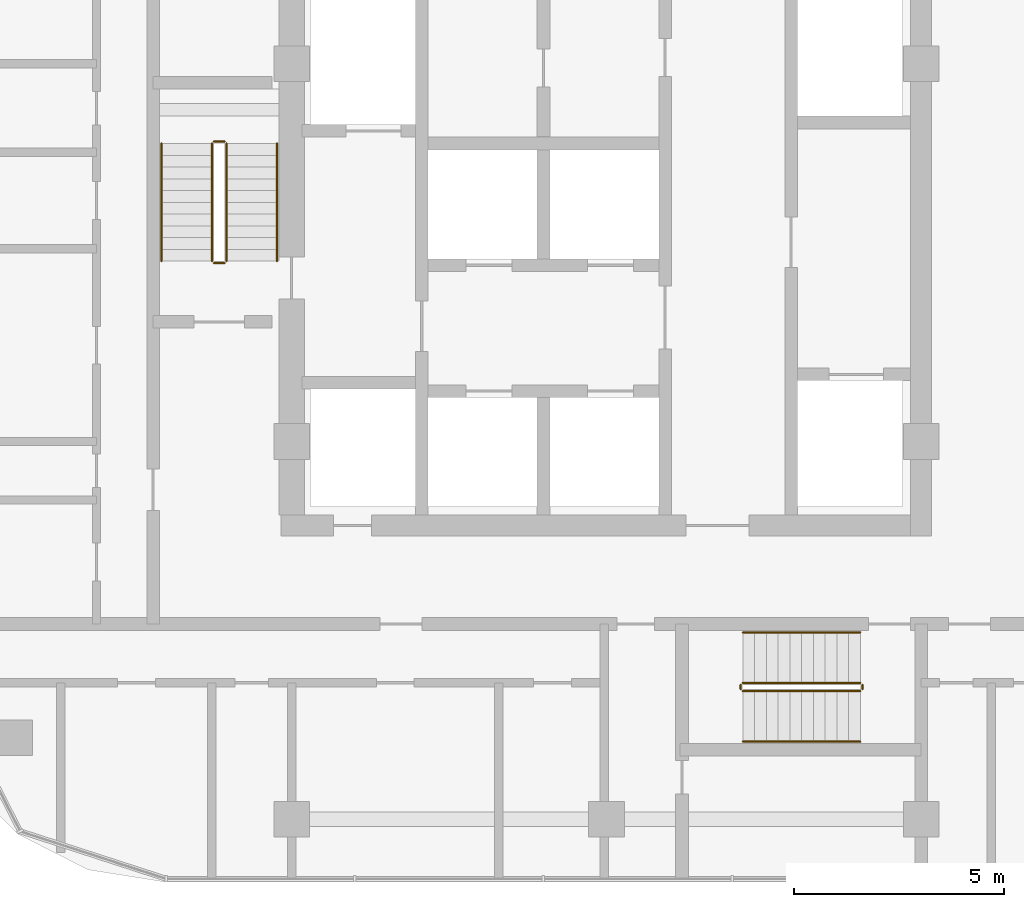
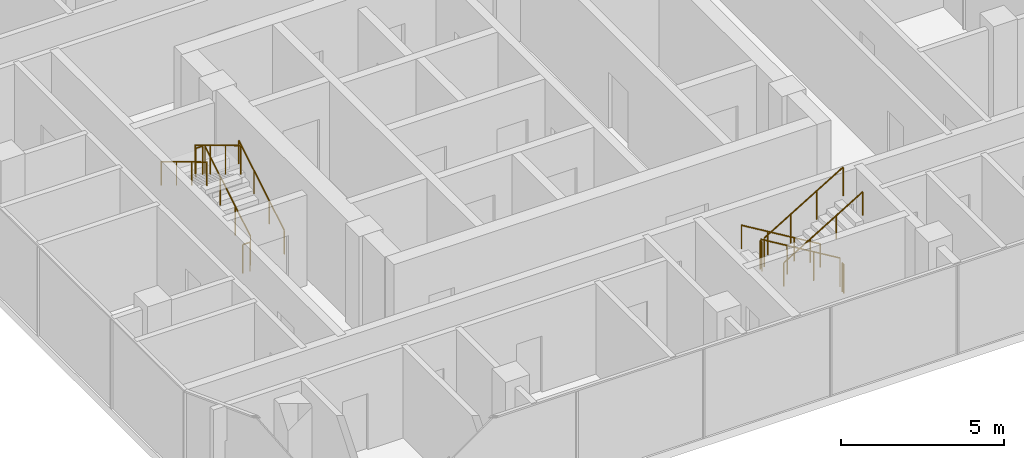
# One storey, part 33 of 33: 12 railings.
"""IFC4 building model written with IfcOpenShell, lengths in metres."""

from ifc_helpers import new_model, si_unit, direction, frame, origin, origin_2d, place, context, subcontext, project, spatial, circle, extrude, material, type_object, element, save


model = new_model("IFC4")

# Units and contexts
model_context = context("Model", 3, precision=1e-05, world=origin(), true_north=direction((0.0, 1.0)))
body_context = subcontext(model_context, "Body", "Model", "MODEL_VIEW")
ifc_project = project(units=[si_unit("LENGTHUNIT", "METRE"), si_unit("AREAUNIT", "SQUARE_METRE"), si_unit("VOLUMEUNIT", "CUBIC_METRE"), si_unit("PLANEANGLEUNIT", "RADIAN"), si_unit("MASSUNIT", "GRAM", prefix="KILO")], contexts=[model_context])

# Site, building, storey
site_placement = place(None, origin())
site = spatial("IfcSite", under=ifc_project, at=site_placement, CompositionType="ELEMENT")
building_placement = place(site_placement, origin())
building = spatial("IfcBuilding", under=site, at=building_placement, Name="Ogive Portal Towers", CompositionType="ELEMENT")
storey_placement = place(building_placement, frame((0.0, 0.0, 77.89990234375)))
storey = spatial("IfcBuildingStorey", under=building, at=storey_placement, Name="L18", CompositionType="ELEMENT", Elevation=77.89990234375)

# Railings
ifc_material_1 = material(Name="Stainless steel balustrade", Category="steel")
railing_type_1 = type_object("IfcRailingType", Name="INT-GUARD", PredefinedType="GUARDRAIL", material=ifc_material_1)
railing_1_placement = place(storey_placement, frame((127.449951171875, 30.800048828125, 0.168212890625)))
element("IfcRailing", 1, at=railing_1_placement, inside=storey, type_object=railing_type_1, Name="L18 ST-B1 stair guard 1", PredefinedType="GUARDRAIL", context=body_context, shape_type="SweptSolid", body=[
    extrude(circle(Radius=0.02392578125, at=origin_2d()), frame((0.0, 0.0, 1.076171875), z_axis=(0.0, 0.857242210791, 0.514913383045), x_axis=(-1.0, 0.0, 0.0)), (0.0, 0.0, 1.0), 3.266357421875),
    extrude(circle(Radius=0.02099609375, at=origin_2d()), origin(), (0.0, 0.0, 1.0), 1.052001953125),
    extrude(circle(Radius=0.02099609375, at=origin_2d()), frame((0.0, 0.933349609375, 0.560546875)), (0.0, 0.0, 1.0), 1.052001953125),
    extrude(circle(Radius=0.02099609375, at=origin_2d()), frame((0.0, 1.86669921875, 1.121337890625)), (0.0, 0.0, 1.0), 1.052001953125),
    extrude(circle(Radius=0.02099609375, at=origin_2d()), frame((0.0, 2.800048828125, 1.681884765625)), (0.0, 0.0, 1.0), 1.052001953125),
])
railing_2_placement = place(storey_placement, frame((127.39990234375, 33.64990234375, 1.85009765625)))
element("IfcRailing", 2, at=railing_2_placement, inside=storey, type_object=railing_type_1, Name="L18 ST-B1 stair guard 2", PredefinedType="GUARDRAIL", context=body_context, shape_type="SweptSolid", body=[
    extrude(circle(Radius=0.02392578125, at=origin_2d()), frame((0.0, 0.0, 1.076171875), z_axis=(-1.0, 0.0, 0.0), x_axis=(0.0, -1.0, 0.0)), (0.0, 0.0, 1.0), 0.25),
    extrude(circle(Radius=0.02099609375, at=origin_2d()), origin(), (0.0, 0.0, 1.0), 1.052001953125),
    extrude(circle(Radius=0.02099609375, at=origin_2d()), frame((-0.25, 0.0, 0.0)), (0.0, 0.0, 1.0), 1.052001953125),
])
railing_3_placement = place(storey_placement, frame((127.10009765625, 33.60009765625, 2.018310546875)))
element("IfcRailing", 3, at=railing_3_placement, inside=storey, type_object=railing_type_1, Name="L18 ST-B1 stair guard 3", PredefinedType="GUARDRAIL", context=body_context, shape_type="SweptSolid", body=[
    extrude(circle(Radius=0.02392578125, at=origin_2d()), frame((0.0, 0.0, 1.076171875), z_axis=(0.0, -0.857242210791, 0.514913383045), x_axis=(1.0, 0.0, 0.0)), (0.0, 0.0, 1.0), 3.266357421875),
    extrude(circle(Radius=0.02099609375, at=origin_2d()), origin(), (0.0, 0.0, 1.0), 1.052001953125),
    extrude(circle(Radius=0.02099609375, at=origin_2d()), frame((0.0, -0.933349609375, 0.560546875)), (0.0, 0.0, 1.0), 1.052001953125),
    extrude(circle(Radius=0.02099609375, at=origin_2d()), frame((0.0, -1.86669921875, 1.121337890625)), (0.0, 0.0, 1.0), 1.052001953125),
    extrude(circle(Radius=0.02099609375, at=origin_2d()), frame((0.0, -2.800048828125, 1.681884765625)), (0.0, 0.0, 1.0), 1.052001953125),
])
railing_4_placement = place(storey_placement, frame((127.39990234375, 30.75, 0.0)))
element("IfcRailing", 4, at=railing_4_placement, inside=storey, type_object=railing_type_1, Name="L18 ST-B1 stair guard 4", PredefinedType="GUARDRAIL", context=body_context, shape_type="SweptSolid", body=[
    extrude(circle(Radius=0.02392578125, at=origin_2d()), frame((0.0, 0.0, 1.076171875), z_axis=(-1.0, 0.0, 0.0), x_axis=(0.0, -1.0, 0.0)), (0.0, 0.0, 1.0), 0.25),
    extrude(circle(Radius=0.02099609375, at=origin_2d()), origin(), (0.0, 0.0, 1.0), 1.052001953125),
    extrude(circle(Radius=0.02099609375, at=origin_2d()), frame((-0.25, 0.0, 0.0)), (0.0, 0.0, 1.0), 1.052001953125),
])
railing_5_placement = place(storey_placement, frame((142.550048828125, 20.75, 0.168212890625)))
element("IfcRailing", 5, at=railing_5_placement, inside=storey, type_object=railing_type_1, Name="L18 ST-B2 stair guard 1", PredefinedType="GUARDRAIL", context=body_context, shape_type="SweptSolid", body=[
    extrude(circle(Radius=0.02392578125, at=origin_2d()), frame((0.0, 0.0, 1.076171875), z_axis=(-0.857242210791, 0.0, 0.514913383045), x_axis=(0.0, -1.0, 0.0)), (0.0, 0.0, 1.0), 3.266357421875),
    extrude(circle(Radius=0.02099609375, at=origin_2d()), origin(), (0.0, 0.0, 1.0), 1.052001953125),
    extrude(circle(Radius=0.02099609375, at=origin_2d()), frame((-0.933349609375, 0.0, 0.560546875)), (0.0, 0.0, 1.0), 1.052001953125),
    extrude(circle(Radius=0.02099609375, at=origin_2d()), frame((-1.86669921875, 0.0, 1.121337890625)), (0.0, 0.0, 1.0), 1.052001953125),
    extrude(circle(Radius=0.02099609375, at=origin_2d()), frame((-2.800048828125, 0.0, 1.681884765625)), (0.0, 0.0, 1.0), 1.052001953125),
])
railing_6_placement = place(storey_placement, frame((139.699951171875, 20.699951171875, 1.85009765625)))
element("IfcRailing", 6, at=railing_6_placement, inside=storey, type_object=railing_type_1, Name="L18 ST-B2 stair guard 2", PredefinedType="GUARDRAIL", context=body_context, shape_type="SweptSolid", body=[
    extrude(circle(Radius=0.02392578125, at=origin_2d()), frame((0.0, 0.0, 1.076171875), z_axis=(0.0, -1.0, 0.0), x_axis=(1.0, 0.0, 0.0)), (0.0, 0.0, 1.0), 0.099853515625),
    extrude(circle(Radius=0.02099609375, at=origin_2d()), origin(), (0.0, 0.0, 1.0), 1.052001953125),
    extrude(circle(Radius=0.02099609375, at=origin_2d()), frame((0.0, -0.099853515625, 0.0)), (0.0, 0.0, 1.0), 1.052001953125),
])
railing_7_placement = place(storey_placement, frame((139.75, 20.550048828125, 2.018310546875)))
element("IfcRailing", 7, at=railing_7_placement, inside=storey, type_object=railing_type_1, Name="L18 ST-B2 stair guard 3", PredefinedType="GUARDRAIL", context=body_context, shape_type="SweptSolid", body=[
    extrude(circle(Radius=0.02392578125, at=origin_2d()), frame((0.0, 0.0, 1.076171875), z_axis=(0.857242210791, 0.0, 0.514913383045), x_axis=(0.0, 1.0, 0.0)), (0.0, 0.0, 1.0), 3.266357421875),
    extrude(circle(Radius=0.02099609375, at=origin_2d()), origin(), (0.0, 0.0, 1.0), 1.052001953125),
    extrude(circle(Radius=0.02099609375, at=origin_2d()), frame((0.933349609375, 0.0, 0.560546875)), (0.0, 0.0, 1.0), 1.052001953125),
    extrude(circle(Radius=0.02099609375, at=origin_2d()), frame((1.86669921875, 0.0, 1.121337890625)), (0.0, 0.0, 1.0), 1.052001953125),
    extrude(circle(Radius=0.02099609375, at=origin_2d()), frame((2.800048828125, 0.0, 1.681884765625)), (0.0, 0.0, 1.0), 1.052001953125),
])
railing_8_placement = place(storey_placement, frame((142.60009765625, 20.699951171875, 0.0)))
element("IfcRailing", 8, at=railing_8_placement, inside=storey, type_object=railing_type_1, Name="L18 ST-B2 stair guard 4", PredefinedType="GUARDRAIL", context=body_context, shape_type="SweptSolid", body=[
    extrude(circle(Radius=0.02392578125, at=origin_2d()), frame((0.0, 0.0, 1.076171875), z_axis=(0.0, -1.0, 0.0), x_axis=(1.0, 0.0, 0.0)), (0.0, 0.0, 1.0), 0.099853515625),
    extrude(circle(Radius=0.02099609375, at=origin_2d()), origin(), (0.0, 0.0, 1.0), 1.052001953125),
    extrude(circle(Radius=0.02099609375, at=origin_2d()), frame((0.0, -0.099853515625, 0.0)), (0.0, 0.0, 1.0), 1.052001953125),
])
ifc_material_2 = material(Name="Stainless steel handrail", Category="steel")
railing_type_2 = type_object("IfcRailingType", Name="INT-HANDRAIL", PredefinedType="HANDRAIL", material=ifc_material_2)
railing_9_placement = place(storey_placement, frame((128.64990234375, 30.800048828125, 0.168212890625)))
element("IfcRailing", 9, at=railing_9_placement, inside=storey, type_object=railing_type_2, Name="L18 ST-B1 stair handrail 1", PredefinedType="HANDRAIL", context=body_context, shape_type="SweptSolid", body=[
    extrude(circle(Radius=0.02392578125, at=origin_2d()), frame((0.0, 0.0, 0.8759765625), z_axis=(0.0, 0.857242210791, 0.514913383045), x_axis=(-1.0, 0.0, 0.0)), (0.0, 0.0, 1.0), 3.266357421875),
    extrude(circle(Radius=0.02099609375, at=origin_2d()), origin(), (0.0, 0.0, 1.0), 0.851806640625),
    extrude(circle(Radius=0.02099609375, at=origin_2d()), frame((0.0, 0.933349609375, 0.560546875)), (0.0, 0.0, 1.0), 0.851806640625),
    extrude(circle(Radius=0.02099609375, at=origin_2d()), frame((0.0, 1.86669921875, 1.121337890625)), (0.0, 0.0, 1.0), 0.851806640625),
    extrude(circle(Radius=0.02099609375, at=origin_2d()), frame((0.0, 2.800048828125, 1.681884765625)), (0.0, 0.0, 1.0), 0.851806640625),
])
railing_10_placement = place(storey_placement, frame((125.89990234375, 33.60009765625, 2.018310546875)))
element("IfcRailing", 10, at=railing_10_placement, inside=storey, type_object=railing_type_2, Name="L18 ST-B1 stair handrail 2", PredefinedType="HANDRAIL", context=body_context, shape_type="SweptSolid", body=[
    extrude(circle(Radius=0.02392578125, at=origin_2d()), frame((0.0, 0.0, 0.8759765625), z_axis=(0.0, -0.857242210791, 0.514913383045), x_axis=(1.0, 0.0, 0.0)), (0.0, 0.0, 1.0), 3.266357421875),
    extrude(circle(Radius=0.02099609375, at=origin_2d()), origin(), (0.0, 0.0, 1.0), 0.851806640625),
    extrude(circle(Radius=0.02099609375, at=origin_2d()), frame((0.0, -0.933349609375, 0.560546875)), (0.0, 0.0, 1.0), 0.851806640625),
    extrude(circle(Radius=0.02099609375, at=origin_2d()), frame((0.0, -1.86669921875, 1.121337890625)), (0.0, 0.0, 1.0), 0.851806640625),
    extrude(circle(Radius=0.02099609375, at=origin_2d()), frame((0.0, -2.800048828125, 1.681884765625)), (0.0, 0.0, 1.0), 0.851806640625),
])
railing_11_placement = place(storey_placement, frame((142.550048828125, 21.949951171875, 0.168212890625)))
element("IfcRailing", 11, at=railing_11_placement, inside=storey, type_object=railing_type_2, Name="L18 ST-B2 stair handrail 1", PredefinedType="HANDRAIL", context=body_context, shape_type="SweptSolid", body=[
    extrude(circle(Radius=0.02392578125, at=origin_2d()), frame((0.0, 0.0, 0.8759765625), z_axis=(-0.857242210791, 0.0, 0.514913383045), x_axis=(0.0, -1.0, 0.0)), (0.0, 0.0, 1.0), 3.266357421875),
    extrude(circle(Radius=0.02099609375, at=origin_2d()), origin(), (0.0, 0.0, 1.0), 0.851806640625),
    extrude(circle(Radius=0.02099609375, at=origin_2d()), frame((-0.933349609375, 0.0, 0.560546875)), (0.0, 0.0, 1.0), 0.851806640625),
    extrude(circle(Radius=0.02099609375, at=origin_2d()), frame((-1.86669921875, 0.0, 1.121337890625)), (0.0, 0.0, 1.0), 0.851806640625),
    extrude(circle(Radius=0.02099609375, at=origin_2d()), frame((-2.800048828125, 0.0, 1.681884765625)), (0.0, 0.0, 1.0), 0.851806640625),
])
railing_12_placement = place(storey_placement, frame((139.75, 19.35009765625, 2.018310546875)))
element("IfcRailing", 12, at=railing_12_placement, inside=storey, type_object=railing_type_2, Name="L18 ST-B2 stair handrail 2", PredefinedType="HANDRAIL", context=body_context, shape_type="SweptSolid", body=[
    extrude(circle(Radius=0.02392578125, at=origin_2d()), frame((0.0, 0.0, 0.8759765625), z_axis=(0.857242210791, 0.0, 0.514913383045), x_axis=(0.0, 1.0, 0.0)), (0.0, 0.0, 1.0), 3.266357421875),
    extrude(circle(Radius=0.02099609375, at=origin_2d()), origin(), (0.0, 0.0, 1.0), 0.851806640625),
    extrude(circle(Radius=0.02099609375, at=origin_2d()), frame((0.933349609375, 0.0, 0.560546875)), (0.0, 0.0, 1.0), 0.851806640625),
    extrude(circle(Radius=0.02099609375, at=origin_2d()), frame((1.86669921875, 0.0, 1.121337890625)), (0.0, 0.0, 1.0), 0.851806640625),
    extrude(circle(Radius=0.02099609375, at=origin_2d()), frame((2.800048828125, 0.0, 1.681884765625)), (0.0, 0.0, 1.0), 0.851806640625),
])

save(model, "model.ifc")
